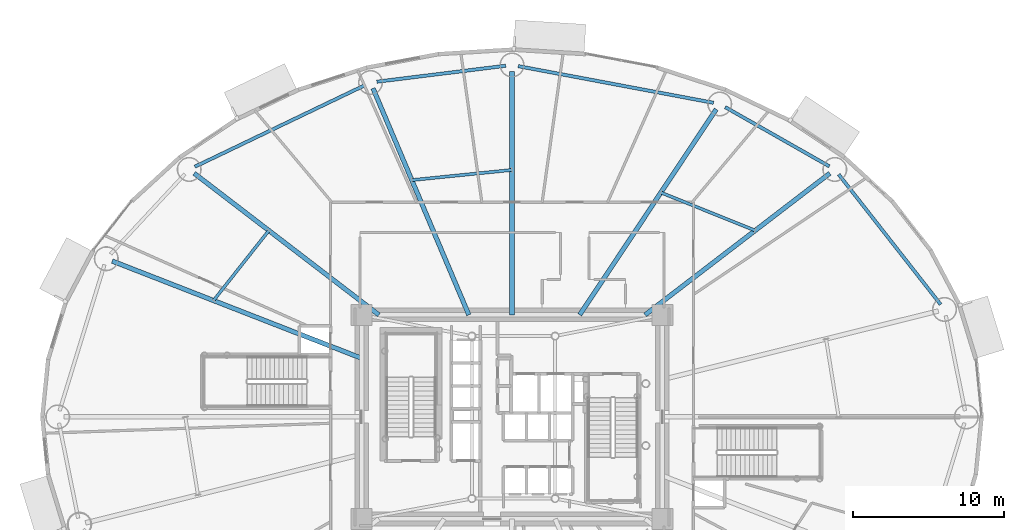
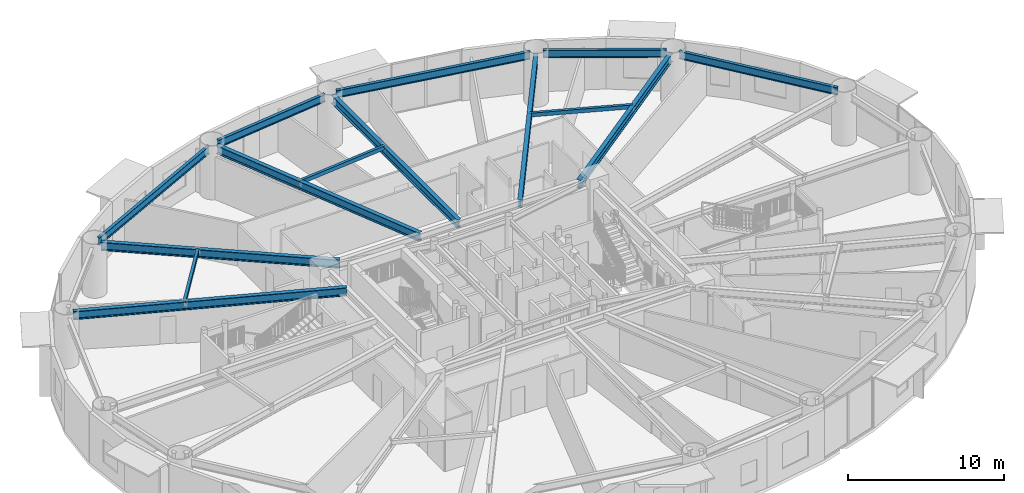
# One storey, part 10 of 32: 14 beams.
"""IFC4 building model written with IfcOpenShell, lengths in metres."""

from ifc_helpers import new_model, si_unit, direction, frame, origin, origin_2d, place, context, subcontext, project, spatial, hollow_rectangle, i_section, extrude, material, material_profile, profile_set, type_object, element, save


model = new_model("IFC4")

# Units and contexts
model_context = context("Model", 3, precision=1e-05, world=origin(), true_north=direction((0.0, 1.0)))
body_context = subcontext(model_context, "Body", "Model", "MODEL_VIEW")
ifc_project = project(units=[si_unit("LENGTHUNIT", "METRE"), si_unit("AREAUNIT", "SQUARE_METRE"), si_unit("VOLUMEUNIT", "CUBIC_METRE"), si_unit("PLANEANGLEUNIT", "RADIAN"), si_unit("MASSUNIT", "GRAM", prefix="KILO")], contexts=[model_context])

# Site, building, storey
site_placement = place(None, origin())
site = spatial("IfcSite", under=ifc_project, at=site_placement, CompositionType="ELEMENT")
building_placement = place(site_placement, origin())
building = spatial("IfcBuilding", under=site, at=building_placement, Name="Linh Dai School and Residence Tower", CompositionType="ELEMENT")
storey_placement = place(building_placement, frame((0.0, 0.0, 53.39990234375)))
storey = spatial("IfcBuildingStorey", under=building, at=storey_placement, Name="L12", CompositionType="ELEMENT", Elevation=53.39990234375)

# Beams
ifc_material = material(Name="Structural Steel S355JR", Category="steel")
ifc_material_profile_1 = material_profile(ifc_material, hollow_rectangle(XDim=0.199951171875, YDim=0.300048828125, WallThickness=0.010009765625, at=origin_2d()), Name="RHS 300x200x10")
ifc_profile_set_1 = profile_set([ifc_material_profile_1], Name="Structural Steel S355JR")
beam_type_1 = type_object("IfcBeamType", Name="BM-BX3", PredefinedType="BEAM", material=ifc_profile_set_1)
beam_1_placement = place(storey_placement, frame((52.078125, 39.3310546875, 3.800048828125), z_axis=(-0.927542803202, 0.373716935968, 0.0), x_axis=(-0.373716935968, -0.927542803202, 0.0)))
element("IfcBeam", 1, at=beam_1_placement, inside=storey, type_object=beam_type_1, Name="L12 Secondary Circumferential Floor Beam 02", PredefinedType="BEAM", context=body_context, shape_type="SweptSolid", body=[
    extrude(hollow_rectangle(XDim=0.199951171875, YDim=0.300048828125, WallThickness=0.010009765625, at=origin_2d()), origin(), (0.0, 0.0, 1.0), 6.709716796875),
])
beam_2_placement = place(storey_placement, frame((35.9951171875, 43.3369140625, 3.800048828125), z_axis=(-0.99488448114, -0.10101915257, 0.0), x_axis=(0.10101915257, -0.99488448114, 0.0)))
element("IfcBeam", 2, at=beam_2_placement, inside=storey, type_object=beam_type_1, Name="L12 Secondary Circumferential Floor Beam 03", PredefinedType="BEAM", context=body_context, shape_type="SweptSolid", body=[
    extrude(hollow_rectangle(XDim=0.199951171875, YDim=0.300048828125, WallThickness=0.010009765625, at=origin_2d()), origin(), (0.0, 0.0, 1.0), 6.65087890625),
])
beam_3_placement = place(storey_placement, frame((19.914306640625, 39.3251953125, 3.800048828125), z_axis=(-0.620188156993, -0.784453089691, 0.0), x_axis=(0.784453089691, -0.620188156993, 0.0)))
element("IfcBeam", 3, at=beam_3_placement, inside=storey, type_object=beam_type_1, Name="L12 Secondary Circumferential Floor Beam 04", PredefinedType="BEAM", context=body_context, shape_type="SweptSolid", body=[
    extrude(hollow_rectangle(XDim=0.199951171875, YDim=0.300048828125, WallThickness=0.010009765625, at=origin_2d()), origin(), (0.0, 0.0, 1.0), 5.89306640625),
])
ifc_material_profile_2 = material_profile(ifc_material, i_section(OverallWidth=0.219970703125, OverallDepth=0.60009765625, WebThickness=0.011962890625, FlangeThickness=0.01904296875, FilletRadius=0.02392578125, at=origin_2d()), Name="IPE 600")
ifc_profile_set_2 = profile_set([ifc_material_profile_2], Name="Structural Steel S355JR")
beam_type_2 = type_object("IfcBeamType", Name="BM-RB60", PredefinedType="BEAM", material=ifc_profile_set_2)
beam_4_placement = place(storey_placement, frame((64.351806640625, 34.439208984375, 3.650146484375), z_axis=(-0.616878670407, 0.787058260866, 0.0), x_axis=(-0.787058260866, -0.616878670407, 0.0)))
element("IfcBeam", 4, at=beam_4_placement, inside=storey, type_object=beam_type_2, Name="L12 Perimeter Elliptical Ring Beam 02", PredefinedType="BEAM", context=body_context, shape_type="SweptSolid", body=[
    extrude(i_section(OverallWidth=0.219970703125, OverallDepth=0.60009765625, WebThickness=0.011962890625, FlangeThickness=0.01904296875, FilletRadius=0.02392578125, at=origin_2d()), origin(), (0.0, 0.0, 1.0), 10.926025390625),
])
beam_5_placement = place(storey_placement, frame((56.987548828125, 43.57666015625, 3.650146484375), z_axis=(-0.869271416992, 0.494335112653, 0.0), x_axis=(-0.494335112653, -0.869271416992, 0.0)))
element("IfcBeam", 5, at=beam_5_placement, inside=storey, type_object=beam_type_2, Name="L12 Perimeter Elliptical Ring Beam 03", PredefinedType="BEAM", context=body_context, shape_type="SweptSolid", body=[
    extrude(i_section(OverallWidth=0.219970703125, OverallDepth=0.60009765625, WebThickness=0.011962890625, FlangeThickness=0.01904296875, FilletRadius=0.02392578125, at=origin_2d()), origin(), (0.0, 0.0, 1.0), 7.91943359375),
])
beam_6_placement = place(storey_placement, frame((49.32568359375, 47.776611328125, 3.650146484375), z_axis=(-0.982808389171, 0.184628465236, 0.0), x_axis=(-0.184628465236, -0.982808389171, 0.0)))
element("IfcBeam", 6, at=beam_6_placement, inside=storey, type_object=beam_type_2, Name="L12 Perimeter Elliptical Ring Beam 04", PredefinedType="BEAM", context=body_context, shape_type="SweptSolid", body=[
    extrude(i_section(OverallWidth=0.219970703125, OverallDepth=0.60009765625, WebThickness=0.011962890625, FlangeThickness=0.01904296875, FilletRadius=0.02392578125, at=origin_2d()), origin(), (0.0, 0.0, 1.0), 13.138671875),
])
beam_7_placement = place(storey_placement, frame((35.583251953125, 50.228271484375, 3.650146484375), z_axis=(-0.99240113372, -0.123044665842, 0.0), x_axis=(0.123044665842, -0.99240113372, 0.0)))
element("IfcBeam", 7, at=beam_7_placement, inside=storey, type_object=beam_type_2, Name="L12 Perimeter Elliptical Ring Beam 05", PredefinedType="BEAM", context=body_context, shape_type="SweptSolid", body=[
    extrude(i_section(OverallWidth=0.219970703125, OverallDepth=0.60009765625, WebThickness=0.011962890625, FlangeThickness=0.01904296875, FilletRadius=0.02392578125, at=origin_2d()), origin(), (0.0, 0.0, 1.0), 8.58935546875),
])
beam_8_placement = place(storey_placement, frame((26.263427734375, 48.938232421875, 3.650146484375), z_axis=(-0.901728693485, -0.432302398034, 0.0), x_axis=(0.432302398034, -0.901728693485, 0.0)))
element("IfcBeam", 8, at=beam_8_placement, inside=storey, type_object=beam_type_2, Name="L12 Perimeter Elliptical Ring Beam 06", PredefinedType="BEAM", context=body_context, shape_type="SweptSolid", body=[
    extrude(i_section(OverallWidth=0.219970703125, OverallDepth=0.60009765625, WebThickness=0.011962890625, FlangeThickness=0.01904296875, FilletRadius=0.02392578125, at=origin_2d()), origin(), (0.0, 0.0, 1.0), 12.462158203125),
])
ifc_material_profile_3 = material_profile(ifc_material, i_section(OverallWidth=0.300048828125, OverallDepth=0.64990234375, WebThickness=0.01611328125, FlangeThickness=0.031005859375, FilletRadius=0.027099609375, at=origin_2d()), Name="HEB 650")
ifc_profile_set_3 = profile_set([ifc_material_profile_3], Name="Structural Steel S355JR")
beam_type_3 = type_object("IfcBeamType", Name="BM-RG65", PredefinedType="BEAM", material=ifc_profile_set_3)
beam_9_placement = place(storey_placement, frame((44.804931640625, 33.75, 3.625), z_axis=(0.793637764155, 0.608390581212, 0.0), x_axis=(-0.608390581212, 0.793637764155, 0.0)))
element("IfcBeam", 9, at=beam_9_placement, inside=storey, type_object=beam_type_3, Name="L12 Primary Radial Floor Girder 03", PredefinedType="BEAM", context=body_context, shape_type="SweptSolid", body=[
    extrude(i_section(OverallWidth=0.300048828125, OverallDepth=0.64990234375, WebThickness=0.01611328125, FlangeThickness=0.031005859375, FilletRadius=0.027099609375, at=origin_2d()), origin(), (0.0, 0.0, 1.0), 15.390625),
])
beam_10_placement = place(storey_placement, frame((40.47998046875, 33.75, 3.625), z_axis=(0.55300421354, 0.833178456158, 0.0), x_axis=(-0.833178456158, 0.55300421354, 0.0)))
element("IfcBeam", 10, at=beam_10_placement, inside=storey, type_object=beam_type_3, Name="L12 Primary Radial Floor Girder 04", PredefinedType="BEAM", context=body_context, shape_type="SweptSolid", body=[
    extrude(i_section(OverallWidth=0.300048828125, OverallDepth=0.64990234375, WebThickness=0.01611328125, FlangeThickness=0.031005859375, FilletRadius=0.027099609375, at=origin_2d()), origin(), (0.0, 0.0, 1.0), 16.322021484375),
])
beam_11_placement = place(storey_placement, frame((36.0, 33.75, 3.625), z_axis=(0.0, 1.0, 0.0), x_axis=(-1.0, 0.0, 0.0)))
element("IfcBeam", 11, at=beam_11_placement, inside=storey, type_object=beam_type_3, Name="L12 Primary Radial Floor Girder 05", PredefinedType="BEAM", context=body_context, shape_type="SweptSolid", body=[
    extrude(i_section(OverallWidth=0.300048828125, OverallDepth=0.64990234375, WebThickness=0.01611328125, FlangeThickness=0.031005859375, FilletRadius=0.027099609375, at=origin_2d()), origin(), (0.0, 0.0, 1.0), 16.110107421875),
])
beam_12_placement = place(storey_placement, frame((33.14453125, 33.75, 3.625), z_axis=(-0.38962432485, 0.920973878829, 0.0), x_axis=(-0.920973878829, -0.38962432485, 0.0)))
element("IfcBeam", 12, at=beam_12_placement, inside=storey, type_object=beam_type_3, Name="L12 Primary Radial Floor Girder 06", PredefinedType="BEAM", context=body_context, shape_type="SweptSolid", body=[
    extrude(i_section(OverallWidth=0.300048828125, OverallDepth=0.64990234375, WebThickness=0.01611328125, FlangeThickness=0.031005859375, FilletRadius=0.027099609375, at=origin_2d()), origin(), (0.0, 0.0, 1.0), 16.2685546875),
])
beam_13_placement = place(storey_placement, frame((27.195068359375, 33.75, 3.625), z_axis=(-0.793637764155, 0.608390581212, 0.0), x_axis=(-0.608390581212, -0.793637764155, 0.0)))
element("IfcBeam", 13, at=beam_13_placement, inside=storey, type_object=beam_type_3, Name="L12 Primary Radial Floor Girder 07", PredefinedType="BEAM", context=body_context, shape_type="SweptSolid", body=[
    extrude(i_section(OverallWidth=0.300048828125, OverallDepth=0.64990234375, WebThickness=0.01611328125, FlangeThickness=0.031005859375, FilletRadius=0.027099609375, at=origin_2d()), origin(), (0.0, 0.0, 1.0), 15.390625),
])
beam_14_placement = place(storey_placement, frame((26.050048828125, 30.879638671875, 3.625), z_axis=(-0.93167509369, 0.363292609061, 0.0), x_axis=(-0.363292609061, -0.93167509369, 0.0)))
element("IfcBeam", 14, at=beam_14_placement, inside=storey, type_object=beam_type_3, Name="L12 Primary Radial Floor Girder 08", PredefinedType="BEAM", context=body_context, shape_type="SweptSolid", body=[
    extrude(i_section(OverallWidth=0.300048828125, OverallDepth=0.64990234375, WebThickness=0.01611328125, FlangeThickness=0.031005859375, FilletRadius=0.027099609375, at=origin_2d()), origin(), (0.0, 0.0, 1.0), 17.703857421875),
])

save(model, "model.ifc")
